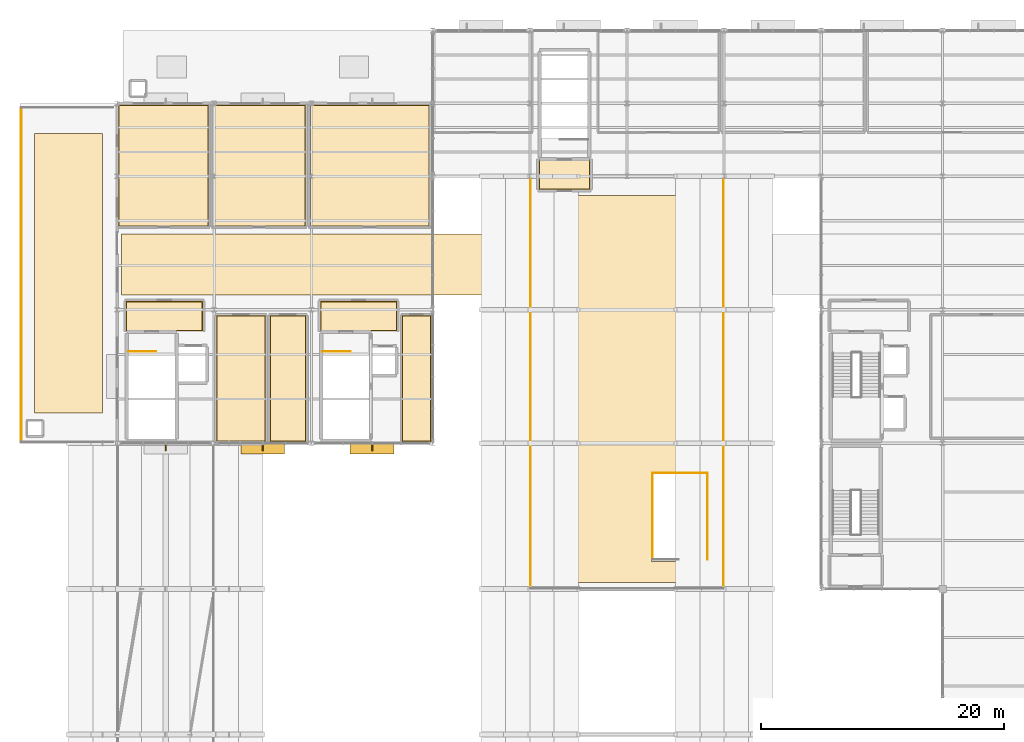
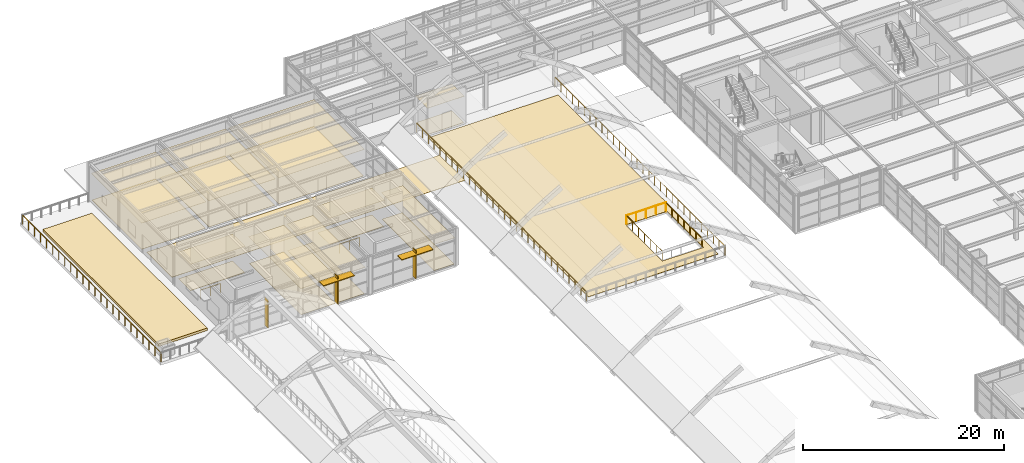
# One storey, part 75 of 82: 21 coverings, 8 railings, 5 shading devices.
"""IFC4 building model written with IfcOpenShell, lengths in metres."""

import ifcopenshell
import ifcopenshell.guid

model = None  # the IFC model being written
_history = None  # IfcOwnerHistory: only IFC2X3 demands one
_inside = {}  # id of a spatial element -> (the spatial element, [elements in it])
_under = {}  # id of a project, library or spatial element -> (it, [spatial elements below it])
_declared = {}  # id of a project -> (the project, [libraries it declares])
_typed = {}  # id of a type object -> (the type object, [elements of that type])
_made_of = {}  # id of a material, layer set ... -> (it, [elements and type objects made of it])


def new_model(schema):
    """Start an empty IFC model of exactly this schema.

    Asked for "IFC4X3", IfcOpenShell would pick the latest addendum, in which some entities
    have other attributes; the version numbers below select the first issue.
    IFC2X3 requires an IfcOwnerHistory on every rooted entity: one is made here for all.
    """
    global model, _history
    if schema == "IFC4X3":
        model = ifcopenshell.file(schema_version=(4, 3, 0, 0))
    else:
        model = ifcopenshell.file(schema=schema)
    _inside.clear()
    _under.clear()
    _declared.clear()
    _typed.clear()
    _made_of.clear()
    _history = None
    if model.schema == "IFC2X3":
        org = make("IfcOrganization", Name="unknown")
        user = make(
            "IfcPersonAndOrganization",
            ThePerson=make("IfcPerson", FamilyName="unknown"),
            TheOrganization=org,
        )
        app = make(
            "IfcApplication",
            ApplicationDeveloper=org,
            Version="unknown",
            ApplicationFullName="unknown",
            ApplicationIdentifier="unknown",
        )
        _history = make(
            "IfcOwnerHistory",
            OwningUser=user,
            OwningApplication=app,
            ChangeAction="ADDED",
            CreationDate=0,
        )
    return model


def make(cls, **values):
    """One entity of the class cls with the attributes given. An attribute that is None is left unset."""
    return model.create_entity(
        cls, **{name: value for name, value in values.items() if value is not None}
    )


def rooted(cls, **values):
    """An entity with a GlobalId (a new one), such as an element, a storey or a relation."""
    return make(cls, GlobalId=ifcopenshell.guid.new(), OwnerHistory=_history, **values)


def si_unit(unit_type, name, prefix=None):
    """IfcSIUnit, for example si_unit("LENGTHUNIT", "METRE", prefix="MILLI")."""
    return make("IfcSIUnit", UnitType=unit_type, Prefix=prefix, Name=name)


def assignment(units):
    """IfcUnitAssignment: the units of a project."""
    return None if units is None else make("IfcUnitAssignment", Units=units)


def point(xyz):
    """IfcCartesianPoint."""
    return None if xyz is None else make("IfcCartesianPoint", Coordinates=xyz)


def direction(xyz):
    """IfcDirection."""
    return None if xyz is None else make("IfcDirection", DirectionRatios=xyz)


def frame(location, z_axis=None, x_axis=None):
    """IfcAxis2Placement3D, a coordinate frame: its origin and axes. An axis left out is left unset."""
    return make(
        "IfcAxis2Placement3D",
        Location=point(location),
        Axis=direction(z_axis),
        RefDirection=direction(x_axis),
    )


def frame_2d(location, x_axis=None):
    """IfcAxis2Placement2D, a coordinate frame in the plane: its origin and x axis."""
    return make(
        "IfcAxis2Placement2D", Location=point(location), RefDirection=direction(x_axis)
    )


def origin():
    """The frame at (0, 0, 0) with its axes left unset."""
    return frame((0.0, 0.0, 0.0))


def origin_2d():
    """The frame at (0, 0) in the plane with its x axis left unset."""
    return frame_2d((0.0, 0.0))


def place(relative_to, where):
    """IfcLocalPlacement: puts the frame where relative to a parent placement (None: the world)."""
    return make(
        "IfcLocalPlacement", PlacementRelTo=relative_to, RelativePlacement=where
    )


def context(
    kind, dimensions, precision=None, world=None, true_north=None, identifier=None
):
    """IfcGeometricRepresentationContext, for example the 3D "Model" context."""
    return make(
        "IfcGeometricRepresentationContext",
        ContextIdentifier=identifier,
        ContextType=kind,
        CoordinateSpaceDimension=dimensions,
        Precision=precision,
        WorldCoordinateSystem=world,
        TrueNorth=true_north,
    )


def subcontext(parent, identifier, kind, view, scale=None):
    """IfcGeometricRepresentationSubContext, for example "Body" below "Model"."""
    return make(
        "IfcGeometricRepresentationSubContext",
        ContextIdentifier=identifier,
        ContextType=kind,
        ParentContext=parent,
        TargetScale=scale,
        TargetView=view,
    )


def project(units=None, contexts=None):
    """IfcProject with its units and contexts."""
    return rooted(
        "IfcProject",
        Name="project",
        RepresentationContexts=contexts,
        UnitsInContext=assignment(units),
    )


def spatial(cls, under=None, at=None, **own):
    """A site, building, storey or space (cls), placed at a placement, below another one or the project."""
    s = rooted(cls, ObjectPlacement=at, **own)
    if under is not None:
        _under.setdefault(under.id(), (under, []))[1].append(s)
    return s


def polyline(points):
    """IfcPolyline through the points."""
    return make("IfcPolyline", Points=[point(p) for p in points])


def profile(cls, at=None, kind="AREA", **sizes):
    """A parametric profile (cls). Its sizes go by their IFC names, for example OverallWidth=200.0."""
    return make(cls, ProfileType=kind, Position=at, **sizes)


def rectangle(**sizes):
    """IfcRectangleProfileDef."""
    return profile("IfcRectangleProfileDef", **sizes)


def circle(**sizes):
    """IfcCircleProfileDef."""
    return profile("IfcCircleProfileDef", **sizes)


def outline(outer, holes=None, kind="AREA"):
    """IfcArbitraryClosedProfileDef: a profile drawn as a closed curve; with holes, ...WithVoids."""
    if holes is None:
        return make("IfcArbitraryClosedProfileDef", ProfileType=kind, OuterCurve=outer)
    return make(
        "IfcArbitraryProfileDefWithVoids",
        ProfileType=kind,
        OuterCurve=outer,
        InnerCurves=holes,
    )


def extrude(swept, where, along, depth):
    """IfcExtrudedAreaSolid: the profile swept, set in the frame where, extruded along a direction by depth."""
    return make(
        "IfcExtrudedAreaSolid",
        SweptArea=swept,
        Position=where,
        ExtrudedDirection=direction(along),
        Depth=depth,
    )


def shape(context_of_items, identifier, shape_type, items):
    """IfcShapeRepresentation: the items that make up one representation, for example the "Body"."""
    return make(
        "IfcShapeRepresentation",
        ContextOfItems=context_of_items,
        RepresentationIdentifier=identifier,
        RepresentationType=shape_type,
        Items=items,
    )


def material(Name=None, Category=None):
    """IfcMaterial."""
    return make("IfcMaterial", Name=Name, Category=Category)


def layer(
    of_material, thickness, ventilated=None, Name=None, Category=None, Priority=None
):
    """IfcMaterialLayer: one layer of a wall or slab, of a material (None: an air gap)."""
    return make(
        "IfcMaterialLayer",
        Material=of_material,
        LayerThickness=thickness,
        IsVentilated=ventilated,
        Name=Name,
        Category=Category,
        Priority=Priority,
    )


def layer_set(layers, Name=None):
    """IfcMaterialLayerSet."""
    return make("IfcMaterialLayerSet", MaterialLayers=layers, LayerSetName=Name)


def made_of(thing, what):
    """Note that an element or type object is made of a material, layer set ...; save() writes the relation."""
    if what is not None:
        _made_of.setdefault(what.id(), (what, []))[1].append(thing)
    return thing


def type_object(cls, material=None, **own):
    """A type object (cls), such as IfcWallType, which elements share."""
    return made_of(rooted(cls, **own), material)


def element(
    cls,
    number,
    at=None,
    inside=None,
    cuts=None,
    type_object=None,
    material=None,
    context=None,
    identifier="Body",
    shape_type=None,
    held_by="IfcProductDefinitionShape",
    body=None,
    shapes=None,
    **own,
):
    """One element of the class cls, such as IfcWall. Its Tag is "e" and its number.

    at: its placement. inside: the storey or other place that contains it. cuts: it is an
    opening in that element (IfcRelVoidsElement). A single representation is given by context,
    identifier, shape_type and body (its items); several are given by shapes. held_by: the class
    of the entity that holds the representations. save() writes the other relations.
    """
    e = rooted(cls, Tag="e%d" % number, ObjectPlacement=at, **own)
    if body is not None:
        shapes = [shape(context, identifier, shape_type, body)]
    if shapes is not None:
        e.Representation = make(held_by, Representations=shapes)
    if inside is not None:
        _inside.setdefault(inside.id(), (inside, []))[1].append(e)
    if cuts is not None:
        rooted(
            "IfcRelVoidsElement", RelatingBuildingElement=cuts, RelatedOpeningElement=e
        )
    if type_object is not None:
        _typed.setdefault(type_object.id(), (type_object, []))[1].append(e)
    return made_of(e, material)


def aggregate(whole, parts):
    """IfcRelAggregates: a whole, such as a stair, and the parts it consists of."""
    return rooted("IfcRelAggregates", RelatingObject=whole, RelatedObjects=parts)


def save(model, path):
    """Write the relations noted so far, then the file.

    IfcRelAggregates (storeys below a building ...), IfcRelContainedInSpatialStructure (elements
    in a storey), IfcRelDefinesByType, IfcRelAssociatesMaterial and IfcRelDeclares: one each for
    every whole, place, type object, material and project.
    """
    for whole, parts in _under.values():
        aggregate(whole, parts)
    for where, things in _inside.values():
        rooted(
            "IfcRelContainedInSpatialStructure",
            RelatedElements=things,
            RelatingStructure=where,
        )
    for kind, things in _typed.values():
        rooted("IfcRelDefinesByType", RelatedObjects=things, RelatingType=kind)
    for what, things in _made_of.values():
        rooted("IfcRelAssociatesMaterial", RelatedObjects=things, RelatingMaterial=what)
    for by, libraries in _declared.values():
        rooted("IfcRelDeclares", RelatingContext=by, RelatedDefinitions=libraries)
    model.write(path)


model = new_model("IFC4")

# Units and contexts
model_context = context("Model", 3, precision=1e-05, world=origin(), true_north=direction((0.0, 1.0)))
body_context = subcontext(model_context, "Body", "Model", "MODEL_VIEW")
ifc_project = project(units=[si_unit("LENGTHUNIT", "METRE"), si_unit("AREAUNIT", "SQUARE_METRE"), si_unit("VOLUMEUNIT", "CUBIC_METRE"), si_unit("PLANEANGLEUNIT", "RADIAN"), si_unit("MASSUNIT", "GRAM", prefix="KILO")], contexts=[model_context])

# Site, building, storey
site_placement = place(None, origin())
site = spatial("IfcSite", under=ifc_project, at=site_placement, CompositionType="ELEMENT")
building_placement = place(site_placement, origin())
building = spatial("IfcBuilding", under=site, at=building_placement, Name="Sitalva Quay Ferry Terminal", CompositionType="ELEMENT")
storey_placement = place(building_placement, frame((0.0, 0.0, 5.39990234375)))
storey = spatial("IfcBuildingStorey", under=building, at=storey_placement, Name="L02", CompositionType="ELEMENT", Elevation=5.39990234375)

# Coverings
ifc_material_1 = material(Name="Perforated Marine Aluminium Acoustic Ceiling", Category="aluminium")
ifc_layer_1 = layer(ifc_material_1, 0.0400390625)
ifc_layer_set_1 = layer_set([ifc_layer_1], Name="Perforated Marine Aluminium Acoustic Ceiling")
covering_type_1 = type_object("IfcCoveringType", Name="Ceiling_AcousticBaffle_40", PredefinedType="CEILING", material=ifc_layer_set_1)
covering_1_placement = place(storey_placement, frame((0.0, 0.0, 3.210205078125)))
element("IfcCovering", 1, at=covering_1_placement, inside=storey, type_object=covering_type_1, Name="Male Prayer Room & Ablution ceiling", PredefinedType="CEILING", context=body_context, shape_type="SweptSolid", body=[
    extrude(outline(polyline([(24.175048828125, 78.1201171875), (28.22509765625, 78.1201171875), (28.22509765625, 88.52490234375), (24.175048828125, 88.52490234375), (24.175048828125, 78.1201171875)])), origin(), (0.0, 0.0, 1.0), 0.039794921875),
])
covering_2_placement = place(storey_placement, frame((0.0, 0.0, 3.210205078125)))
element("IfcCovering", 2, at=covering_2_placement, inside=storey, type_object=covering_type_1, Name="Female Prayer Room & Ablution ceiling", PredefinedType="CEILING", context=body_context, shape_type="SweptSolid", body=[
    extrude(outline(polyline([(28.574951171875, 78.1201171875), (31.574951171875, 78.1201171875), (31.574951171875, 88.52490234375), (28.574951171875, 88.52490234375), (28.574951171875, 78.1201171875)])), origin(), (0.0, 0.0, 1.0), 0.039794921875),
])
covering_3_placement = place(storey_placement, frame((0.0, 0.0, 3.210205078125)))
element("IfcCovering", 3, at=covering_3_placement, inside=storey, type_object=covering_type_1, Name="Monsoon Court Viewing Lounge ceiling", PredefinedType="CEILING", context=body_context, shape_type="SweptSolid", body=[
    extrude(outline(polyline([(39.455078125, 78.1201171875), (41.8798828125, 78.1201171875), (41.8798828125, 88.544921875), (39.455078125, 88.544921875), (39.455078125, 78.1201171875)])), origin(), (0.0, 0.0, 1.0), 0.039794921875),
])
ifc_material_2 = material(Name="Moisture-Resistant Acoustic Gypsum Ceiling", Category="gypsum")
ifc_layer_2 = layer(ifc_material_2, 0.02490234375)
ifc_layer_set_2 = layer_set([ifc_layer_2], Name="Moisture-Resistant Acoustic Gypsum Ceiling")
covering_type_2 = type_object("IfcCoveringType", Name="Ceiling_GypsumMoisture_25", PredefinedType="CEILING", material=ifc_layer_set_2)
covering_4_placement = place(storey_placement, frame((0.0, 0.0, 3.22509765625)))
element("IfcCovering", 4, at=covering_4_placement, inside=storey, type_object=covering_type_2, Name="Firefighting & Lift Lobby C3 ceiling", PredefinedType="CEILING", context=body_context, shape_type="SweptSolid", body=[
    extrude(outline(polyline([(16.739990234375, 87.239990234375), (23.06005859375, 87.239990234375), (23.06005859375, 89.7099609375), (16.739990234375, 89.7099609375), (16.739990234375, 87.239990234375)])), origin(), (0.0, 0.0, 1.0), 0.02490234375),
])
covering_5_placement = place(storey_placement, frame((0.0, 0.0, 3.22509765625)))
element("IfcCovering", 5, at=covering_5_placement, inside=storey, type_object=covering_type_2, Name="Firefighting & Lift Lobby C5 ceiling", PredefinedType="CEILING", context=body_context, shape_type="SweptSolid", body=[
    extrude(outline(polyline([(32.739990234375, 87.239990234375), (39.06005859375, 87.239990234375), (39.06005859375, 89.7099609375), (32.739990234375, 89.7099609375), (32.739990234375, 87.239990234375)])), origin(), (0.0, 0.0, 1.0), 0.02490234375),
])
covering_6_placement = place(storey_placement, frame((0.0, 0.0, 3.22509765625)))
element("IfcCovering", 6, at=covering_6_placement, inside=storey, type_object=covering_type_2, Name="Firefighting & Lift Lobby C7 ceiling", PredefinedType="CEILING", context=body_context, shape_type="SweptSolid", body=[
    extrude(outline(polyline([(50.739990234375, 98.889892578125), (54.9599609375, 98.889892578125), (54.9599609375, 101.360107421875), (50.739990234375, 101.360107421875), (50.739990234375, 98.889892578125)])), origin(), (0.0, 0.0, 1.0), 0.02490234375),
])
covering_7_placement = place(storey_placement, frame((0.0, 0.0, 3.22509765625)))
element("IfcCovering", 7, at=covering_7_placement, inside=storey, type_object=covering_type_2, Name="L02 West Male Public Toilets ceiling", PredefinedType="CEILING", context=body_context, shape_type="SweptSolid", body=[
    extrude(outline(polyline([(16.1201171875, 95.8701171875), (23.530029296875, 95.8701171875), (23.530029296875, 105.8798828125), (16.1201171875, 105.8798828125), (16.1201171875, 95.8701171875)])), origin(), (0.0, 0.0, 1.0), 0.02490234375),
])
covering_8_placement = place(storey_placement, frame((0.0, 0.0, 3.22509765625)))
element("IfcCovering", 8, at=covering_8_placement, inside=storey, type_object=covering_type_2, Name="L02 West Female Public Toilets ceiling", PredefinedType="CEILING", context=body_context, shape_type="SweptSolid", body=[
    extrude(outline(polyline([(23.8701171875, 95.8701171875), (31.530029296875, 95.8701171875), (31.530029296875, 105.8798828125), (23.8701171875, 105.8798828125), (23.8701171875, 95.8701171875)])), origin(), (0.0, 0.0, 1.0), 0.02490234375),
])
covering_9_placement = place(storey_placement, frame((0.0, 0.0, 3.22509765625)))
element("IfcCovering", 9, at=covering_9_placement, inside=storey, type_object=covering_type_2, Name="L02 West Accessible WC & Parenting Room ceiling", PredefinedType="CEILING", context=body_context, shape_type="SweptSolid", body=[
    extrude(outline(polyline([(31.8701171875, 95.8701171875), (41.72998046875, 95.8701171875), (41.72998046875, 105.8798828125), (31.8701171875, 105.8798828125), (31.8701171875, 95.8701171875)])), origin(), (0.0, 0.0, 1.0), 0.02490234375),
])
ifc_material_3 = material(Name="Planted Roof Garden Soil & Native Monsoon Flora", Category="earth")
ifc_layer_3 = layer(ifc_material_3, 0.300048828125)
ifc_layer_set_3 = layer_set([ifc_layer_3], Name="Planted Roof Garden Soil & Native Monsoon Flora")
covering_type_3 = type_object("IfcCoveringType", Name="Covering_PlantedParterre_300", PredefinedType="FLOORING", material=ifc_layer_set_3)
covering_10_placement = place(storey_placement, origin())
element("IfcCovering", 10, at=covering_10_placement, inside=storey, type_object=covering_type_3, Name="Planted terrace garden bed 13", PredefinedType="FLOORING", context=body_context, shape_type="SweptSolid", body=[
    extrude(outline(polyline([(9.199951171875, 80.5), (14.800048828125, 80.5), (14.800048828125, 103.5), (9.199951171875, 103.5), (9.199951171875, 80.5)])), origin(), (0.0, 0.0, 1.0), 0.300048828125),
])
ifc_material_4 = material(Name="Anti-Slip Porcelain Tile", Category="ceramic")
ifc_layer_4 = layer(ifc_material_4, 0.02001953125)
ifc_layer_set_4 = layer_set([ifc_layer_4], Name="Anti-Slip Porcelain Tile")
covering_type_4 = type_object("IfcCoveringType", Name="Finish_CeramicWet_20", PredefinedType="FLOORING", material=ifc_layer_set_4)
covering_11_placement = place(storey_placement, origin())
element("IfcCovering", 11, at=covering_11_placement, inside=storey, type_object=covering_type_4, Name="L02 West Male Public Toilets floor finish", PredefinedType="FLOORING", context=body_context, shape_type="SweptSolid", body=[
    extrude(outline(polyline([(16.169921875, 95.919921875), (23.47998046875, 95.919921875), (23.47998046875, 105.830078125), (16.169921875, 105.830078125), (16.169921875, 95.919921875)])), origin(), (0.0, 0.0, 1.0), 0.02001953125),
])
covering_12_placement = place(storey_placement, origin())
element("IfcCovering", 12, at=covering_12_placement, inside=storey, type_object=covering_type_4, Name="L02 West Female Public Toilets floor finish", PredefinedType="FLOORING", context=body_context, shape_type="SweptSolid", body=[
    extrude(outline(polyline([(23.919921875, 95.919921875), (31.47998046875, 95.919921875), (31.47998046875, 105.830078125), (23.919921875, 105.830078125), (23.919921875, 95.919921875)])), origin(), (0.0, 0.0, 1.0), 0.02001953125),
])
covering_13_placement = place(storey_placement, origin())
element("IfcCovering", 13, at=covering_13_placement, inside=storey, type_object=covering_type_4, Name="L02 West Accessible WC & Parenting Room floor finish", PredefinedType="FLOORING", context=body_context, shape_type="SweptSolid", body=[
    extrude(outline(polyline([(31.919921875, 95.919921875), (41.679931640625, 95.919921875), (41.679931640625, 105.830078125), (31.919921875, 105.830078125), (31.919921875, 95.919921875)])), origin(), (0.0, 0.0, 1.0), 0.02001953125),
])
ifc_material_5 = material(Name="Flamed Non-Slip Granite Paving", Category="masonry")
ifc_layer_5 = layer(ifc_material_5, 0.034912109375)
ifc_layer_set_5 = layer_set([ifc_layer_5], Name="Flamed Non-Slip Granite Paving")
covering_type_5 = type_object("IfcCoveringType", Name="Finish_Granite_35", PredefinedType="FLOORING", material=ifc_layer_set_5)
covering_14_placement = place(storey_placement, origin())
element("IfcCovering", 14, at=covering_14_placement, inside=storey, type_object=covering_type_5, Name="Firefighting & Lift Lobby C3 floor finish", PredefinedType="FLOORING", context=body_context, shape_type="SweptSolid", body=[
    extrude(outline(polyline([(16.7900390625, 87.2900390625), (23.010009765625, 87.2900390625), (23.010009765625, 89.659912109375), (16.7900390625, 89.659912109375), (16.7900390625, 87.2900390625)])), origin(), (0.0, 0.0, 1.0), 0.03515625),
])
covering_15_placement = place(storey_placement, origin())
element("IfcCovering", 15, at=covering_15_placement, inside=storey, type_object=covering_type_5, Name="Firefighting & Lift Lobby C5 floor finish", PredefinedType="FLOORING", context=body_context, shape_type="SweptSolid", body=[
    extrude(outline(polyline([(32.7900390625, 87.2900390625), (39.010009765625, 87.2900390625), (39.010009765625, 89.659912109375), (32.7900390625, 89.659912109375), (32.7900390625, 87.2900390625)])), origin(), (0.0, 0.0, 1.0), 0.03515625),
])
covering_16_placement = place(storey_placement, origin())
element("IfcCovering", 16, at=covering_16_placement, inside=storey, type_object=covering_type_5, Name="Firefighting & Lift Lobby C7 floor finish", PredefinedType="FLOORING", context=body_context, shape_type="SweptSolid", body=[
    extrude(outline(polyline([(50.7900390625, 98.93994140625), (54.909912109375, 98.93994140625), (54.909912109375, 101.31005859375), (50.7900390625, 101.31005859375), (50.7900390625, 98.93994140625)])), origin(), (0.0, 0.0, 1.0), 0.03515625),
])
covering_17_placement = place(storey_placement, origin())
element("IfcCovering", 17, at=covering_17_placement, inside=storey, type_object=covering_type_5, Name="North Concourse Waiting Gallery flooring", PredefinedType="FLOORING", context=body_context, shape_type="SweptSolid", body=[
    extrude(outline(polyline([(50.550048828125, 66.550048828125), (65.449951171875, 66.550048828125), (65.449951171875, 98.39990234375), (50.550048828125, 98.39990234375), (50.550048828125, 66.550048828125)]), holes=[polyline([(60.0, 68.25), (60.0, 75.5), (64.75, 75.5), (64.75, 68.25), (60.0, 68.25)])]), origin(), (0.0, 0.0, 1.0), 0.03515625),
])
covering_18_placement = place(storey_placement, origin())
element("IfcCovering", 18, at=covering_18_placement, inside=storey, type_object=covering_type_5, Name="L02 West Passenger & Staff Gallery Corridor flooring", PredefinedType="FLOORING", context=body_context, shape_type="SweptSolid", body=[
    extrude(outline(polyline([(16.35009765625, 90.199951171875), (50.0, 90.199951171875), (50.0, 95.25), (16.35009765625, 95.25), (16.35009765625, 90.199951171875)])), origin(), (0.0, 0.0, 1.0), 0.03515625),
])
ifc_material_6 = material(Name="Polished River-Stone Terrazzo", Category="masonry")
ifc_layer_6 = layer(ifc_material_6, 0.030029296875)
ifc_layer_set_6 = layer_set([ifc_layer_6], Name="Polished River-Stone Terrazzo")
covering_type_6 = type_object("IfcCoveringType", Name="Finish_Terrazzo_30", PredefinedType="FLOORING", material=ifc_layer_set_6)
covering_19_placement = place(storey_placement, origin())
element("IfcCovering", 19, at=covering_19_placement, inside=storey, type_object=covering_type_6, Name="Male Prayer Room & Ablution floor finish", PredefinedType="FLOORING", context=body_context, shape_type="SweptSolid", body=[
    extrude(outline(polyline([(24.22509765625, 78.169921875), (28.175048828125, 78.169921875), (28.175048828125, 88.47509765625), (24.22509765625, 88.47509765625), (24.22509765625, 78.169921875)])), origin(), (0.0, 0.0, 1.0), 0.030029296875),
])
covering_20_placement = place(storey_placement, origin())
element("IfcCovering", 20, at=covering_20_placement, inside=storey, type_object=covering_type_6, Name="Female Prayer Room & Ablution floor finish", PredefinedType="FLOORING", context=body_context, shape_type="SweptSolid", body=[
    extrude(outline(polyline([(28.625, 78.169921875), (31.52490234375, 78.169921875), (31.52490234375, 88.47509765625), (28.625, 88.47509765625), (28.625, 78.169921875)])), origin(), (0.0, 0.0, 1.0), 0.030029296875),
])
covering_21_placement = place(storey_placement, origin())
element("IfcCovering", 21, at=covering_21_placement, inside=storey, type_object=covering_type_6, Name="Monsoon Court Viewing Lounge floor finish", PredefinedType="FLOORING", context=body_context, shape_type="SweptSolid", body=[
    extrude(outline(polyline([(39.5048828125, 78.169921875), (41.830078125, 78.169921875), (41.830078125, 88.4951171875), (39.5048828125, 88.4951171875), (39.5048828125, 78.169921875)])), origin(), (0.0, 0.0, 1.0), 0.030029296875),
])

# Railings
ifc_material_7 = material(Name="Stainless Steel 316L & Laminated Glass", Category="steel")
railing_type_1 = type_object("IfcRailingType", Name="Railing_Balustrade_1120", PredefinedType="BALUSTRADE", material=ifc_material_7)
railing_1_placement = place(storey_placement, frame((50.050048828125, 99.89990234375, 0.0)))
element("IfcRailing", 22, at=railing_1_placement, inside=storey, type_object=railing_type_1, Name="L02 V1 north gallery guard 022", PredefinedType="BALUSTRADE", context=body_context, shape_type="SweptSolid", body=[
    extrude(circle(Radius=0.02392578125, at=origin_2d()), frame((0.0, 0.0, 1.09619140625), z_axis=(0.0, -1.0, 0.0), x_axis=(1.0, 0.0, 0.0)), (0.0, 0.0, 1.0), 33.849853515625),
    extrude(circle(Radius=0.02099609375, at=origin_2d()), origin(), (0.0, 0.0, 1.0), 1.072021484375),
    extrude(circle(Radius=0.02099609375, at=origin_2d()), frame((0.0, -1.167236328125, 0.0)), (0.0, 0.0, 1.0), 1.072021484375),
    extrude(circle(Radius=0.02099609375, at=origin_2d()), frame((0.0, -2.33447265625, 0.0)), (0.0, 0.0, 1.0), 1.072021484375),
    extrude(circle(Radius=0.02099609375, at=origin_2d()), frame((0.0, -3.501708984375, 0.0)), (0.0, 0.0, 1.0), 1.072021484375),
    extrude(circle(Radius=0.02099609375, at=origin_2d()), frame((0.0, -4.6689453125, 0.0)), (0.0, 0.0, 1.0), 1.072021484375),
    extrude(circle(Radius=0.02099609375, at=origin_2d()), frame((0.0, -5.836181640625, 0.0)), (0.0, 0.0, 1.0), 1.072021484375),
    extrude(circle(Radius=0.02099609375, at=origin_2d()), frame((0.0, -7.00341796875, 0.0)), (0.0, 0.0, 1.0), 1.072021484375),
    extrude(circle(Radius=0.02099609375, at=origin_2d()), frame((0.0, -8.170654296875, 0.0)), (0.0, 0.0, 1.0), 1.072021484375),
    extrude(circle(Radius=0.02099609375, at=origin_2d()), frame((0.0, -9.337890625, 0.0)), (0.0, 0.0, 1.0), 1.072021484375),
    extrude(circle(Radius=0.02099609375, at=origin_2d()), frame((0.0, -10.505126953125, 0.0)), (0.0, 0.0, 1.0), 1.072021484375),
    extrude(circle(Radius=0.02099609375, at=origin_2d()), frame((0.0, -11.67236328125, 0.0)), (0.0, 0.0, 1.0), 1.072021484375),
    extrude(circle(Radius=0.02099609375, at=origin_2d()), frame((0.0, -12.839599609375, 0.0)), (0.0, 0.0, 1.0), 1.072021484375),
    extrude(circle(Radius=0.02099609375, at=origin_2d()), frame((0.0, -14.0068359375, 0.0)), (0.0, 0.0, 1.0), 1.072021484375),
    extrude(circle(Radius=0.02099609375, at=origin_2d()), frame((0.0, -15.174072265625, 0.0)), (0.0, 0.0, 1.0), 1.072021484375),
    extrude(circle(Radius=0.02099609375, at=origin_2d()), frame((0.0, -16.34130859375, 0.0)), (0.0, 0.0, 1.0), 1.072021484375),
    extrude(circle(Radius=0.02099609375, at=origin_2d()), frame((0.0, -17.508544921875, 0.0)), (0.0, 0.0, 1.0), 1.072021484375),
    extrude(circle(Radius=0.02099609375, at=origin_2d()), frame((0.0, -18.67578125, 0.0)), (0.0, 0.0, 1.0), 1.072021484375),
    extrude(circle(Radius=0.02099609375, at=origin_2d()), frame((0.0, -19.843017578125, 0.0)), (0.0, 0.0, 1.0), 1.072021484375),
    extrude(circle(Radius=0.02099609375, at=origin_2d()), frame((0.0, -21.01025390625, 0.0)), (0.0, 0.0, 1.0), 1.072021484375),
    extrude(circle(Radius=0.02099609375, at=origin_2d()), frame((0.0, -22.177490234375, 0.0)), (0.0, 0.0, 1.0), 1.072021484375),
    extrude(circle(Radius=0.02099609375, at=origin_2d()), frame((0.0, -23.3447265625, 0.0)), (0.0, 0.0, 1.0), 1.072021484375),
    extrude(circle(Radius=0.02099609375, at=origin_2d()), frame((0.0, -24.511962890625, 0.0)), (0.0, 0.0, 1.0), 1.072021484375),
    extrude(circle(Radius=0.02099609375, at=origin_2d()), frame((0.0, -25.67919921875, 0.0)), (0.0, 0.0, 1.0), 1.072021484375),
    extrude(circle(Radius=0.02099609375, at=origin_2d()), frame((0.0, -26.846435546875, 0.0)), (0.0, 0.0, 1.0), 1.072021484375),
    extrude(circle(Radius=0.02099609375, at=origin_2d()), frame((0.0, -28.013671875, 0.0)), (0.0, 0.0, 1.0), 1.072021484375),
    extrude(circle(Radius=0.02099609375, at=origin_2d()), frame((0.0, -29.180908203125, 0.0)), (0.0, 0.0, 1.0), 1.072021484375),
    extrude(circle(Radius=0.02099609375, at=origin_2d()), frame((0.0, -30.34814453125, 0.0)), (0.0, 0.0, 1.0), 1.072021484375),
    extrude(circle(Radius=0.02099609375, at=origin_2d()), frame((0.0, -31.515380859375, 0.0)), (0.0, 0.0, 1.0), 1.072021484375),
    extrude(circle(Radius=0.02099609375, at=origin_2d()), frame((0.0, -32.6826171875, 0.0)), (0.0, 0.0, 1.0), 1.072021484375),
    extrude(circle(Radius=0.02099609375, at=origin_2d()), frame((0.0, -33.849853515625, 0.0)), (0.0, 0.0, 1.0), 1.072021484375),
])
railing_2_placement = place(storey_placement, frame((65.949951171875, 66.050048828125, 0.0)))
element("IfcRailing", 23, at=railing_2_placement, inside=storey, type_object=railing_type_1, Name="L02 V1 north gallery guard 024", PredefinedType="BALUSTRADE", context=body_context, shape_type="SweptSolid", body=[
    extrude(circle(Radius=0.02392578125, at=origin_2d()), frame((0.0, 0.0, 1.09619140625), z_axis=(0.0, 1.0, 0.0), x_axis=(-1.0, 0.0, 0.0)), (0.0, 0.0, 1.0), 33.849853515625),
    extrude(circle(Radius=0.02099609375, at=origin_2d()), origin(), (0.0, 0.0, 1.0), 1.072021484375),
    extrude(circle(Radius=0.02099609375, at=origin_2d()), frame((0.0, 1.167236328125, 0.0)), (0.0, 0.0, 1.0), 1.072021484375),
    extrude(circle(Radius=0.02099609375, at=origin_2d()), frame((0.0, 2.33447265625, 0.0)), (0.0, 0.0, 1.0), 1.072021484375),
    extrude(circle(Radius=0.02099609375, at=origin_2d()), frame((0.0, 3.501708984375, 0.0)), (0.0, 0.0, 1.0), 1.072021484375),
    extrude(circle(Radius=0.02099609375, at=origin_2d()), frame((0.0, 4.6689453125, 0.0)), (0.0, 0.0, 1.0), 1.072021484375),
    extrude(circle(Radius=0.02099609375, at=origin_2d()), frame((0.0, 5.836181640625, 0.0)), (0.0, 0.0, 1.0), 1.072021484375),
    extrude(circle(Radius=0.02099609375, at=origin_2d()), frame((0.0, 7.00341796875, 0.0)), (0.0, 0.0, 1.0), 1.072021484375),
    extrude(circle(Radius=0.02099609375, at=origin_2d()), frame((0.0, 8.170654296875, 0.0)), (0.0, 0.0, 1.0), 1.072021484375),
    extrude(circle(Radius=0.02099609375, at=origin_2d()), frame((0.0, 9.337890625, 0.0)), (0.0, 0.0, 1.0), 1.072021484375),
    extrude(circle(Radius=0.02099609375, at=origin_2d()), frame((0.0, 10.505126953125, 0.0)), (0.0, 0.0, 1.0), 1.072021484375),
    extrude(circle(Radius=0.02099609375, at=origin_2d()), frame((0.0, 11.67236328125, 0.0)), (0.0, 0.0, 1.0), 1.072021484375),
    extrude(circle(Radius=0.02099609375, at=origin_2d()), frame((0.0, 12.839599609375, 0.0)), (0.0, 0.0, 1.0), 1.072021484375),
    extrude(circle(Radius=0.02099609375, at=origin_2d()), frame((0.0, 14.0068359375, 0.0)), (0.0, 0.0, 1.0), 1.072021484375),
    extrude(circle(Radius=0.02099609375, at=origin_2d()), frame((0.0, 15.174072265625, 0.0)), (0.0, 0.0, 1.0), 1.072021484375),
    extrude(circle(Radius=0.02099609375, at=origin_2d()), frame((0.0, 16.34130859375, 0.0)), (0.0, 0.0, 1.0), 1.072021484375),
    extrude(circle(Radius=0.02099609375, at=origin_2d()), frame((0.0, 17.508544921875, 0.0)), (0.0, 0.0, 1.0), 1.072021484375),
    extrude(circle(Radius=0.02099609375, at=origin_2d()), frame((0.0, 18.67578125, 0.0)), (0.0, 0.0, 1.0), 1.072021484375),
    extrude(circle(Radius=0.02099609375, at=origin_2d()), frame((0.0, 19.843017578125, 0.0)), (0.0, 0.0, 1.0), 1.072021484375),
    extrude(circle(Radius=0.02099609375, at=origin_2d()), frame((0.0, 21.01025390625, 0.0)), (0.0, 0.0, 1.0), 1.072021484375),
    extrude(circle(Radius=0.02099609375, at=origin_2d()), frame((0.0, 22.177490234375, 0.0)), (0.0, 0.0, 1.0), 1.072021484375),
    extrude(circle(Radius=0.02099609375, at=origin_2d()), frame((0.0, 23.3447265625, 0.0)), (0.0, 0.0, 1.0), 1.072021484375),
    extrude(circle(Radius=0.02099609375, at=origin_2d()), frame((0.0, 24.511962890625, 0.0)), (0.0, 0.0, 1.0), 1.072021484375),
    extrude(circle(Radius=0.02099609375, at=origin_2d()), frame((0.0, 25.67919921875, 0.0)), (0.0, 0.0, 1.0), 1.072021484375),
    extrude(circle(Radius=0.02099609375, at=origin_2d()), frame((0.0, 26.846435546875, 0.0)), (0.0, 0.0, 1.0), 1.072021484375),
    extrude(circle(Radius=0.02099609375, at=origin_2d()), frame((0.0, 28.013671875, 0.0)), (0.0, 0.0, 1.0), 1.072021484375),
    extrude(circle(Radius=0.02099609375, at=origin_2d()), frame((0.0, 29.180908203125, 0.0)), (0.0, 0.0, 1.0), 1.072021484375),
    extrude(circle(Radius=0.02099609375, at=origin_2d()), frame((0.0, 30.34814453125, 0.0)), (0.0, 0.0, 1.0), 1.072021484375),
    extrude(circle(Radius=0.02099609375, at=origin_2d()), frame((0.0, 31.515380859375, 0.0)), (0.0, 0.0, 1.0), 1.072021484375),
    extrude(circle(Radius=0.02099609375, at=origin_2d()), frame((0.0, 32.6826171875, 0.0)), (0.0, 0.0, 1.0), 1.072021484375),
    extrude(circle(Radius=0.02099609375, at=origin_2d()), frame((0.0, 33.849853515625, 0.0)), (0.0, 0.0, 1.0), 1.072021484375),
])
railing_3_placement = place(storey_placement, frame((60.10009765625, 68.419921875, 0.0)))
element("IfcRailing", 24, at=railing_3_placement, inside=storey, type_object=railing_type_1, Name="L02 ST-12 stair-well guard 026", PredefinedType="BALUSTRADE", context=body_context, shape_type="SweptSolid", body=[
    extrude(circle(Radius=0.02392578125, at=origin_2d()), frame((0.0, 0.0, 1.09619140625), z_axis=(0.0, 1.0, 0.0), x_axis=(-1.0, 0.0, 0.0)), (0.0, 0.0, 1.0), 7.14013671875),
    extrude(circle(Radius=0.02099609375, at=origin_2d()), origin(), (0.0, 0.0, 1.0), 1.072021484375),
    extrude(circle(Radius=0.02099609375, at=origin_2d()), frame((0.0, 1.18994140625, 0.0)), (0.0, 0.0, 1.0), 1.072021484375),
    extrude(circle(Radius=0.02099609375, at=origin_2d()), frame((0.0, 2.380126953125, 0.0)), (0.0, 0.0, 1.0), 1.072021484375),
    extrude(circle(Radius=0.02099609375, at=origin_2d()), frame((0.0, 3.570068359375, 0.0)), (0.0, 0.0, 1.0), 1.072021484375),
    extrude(circle(Radius=0.02099609375, at=origin_2d()), frame((0.0, 4.760009765625, 0.0)), (0.0, 0.0, 1.0), 1.072021484375),
    extrude(circle(Radius=0.02099609375, at=origin_2d()), frame((0.0, 5.9501953125, 0.0)), (0.0, 0.0, 1.0), 1.072021484375),
    extrude(circle(Radius=0.02099609375, at=origin_2d()), frame((0.0, 7.14013671875, 0.0)), (0.0, 0.0, 1.0), 1.072021484375),
])
railing_4_placement = place(storey_placement, frame((60.10009765625, 75.56005859375, 0.0)))
element("IfcRailing", 25, at=railing_4_placement, inside=storey, type_object=railing_type_1, Name="L02 ST-12 stair-well guard 027", PredefinedType="BALUSTRADE", context=body_context, shape_type="SweptSolid", body=[
    extrude(circle(Radius=0.02392578125, at=origin_2d()), frame((0.0, 0.0, 1.09619140625), z_axis=(1.0, 0.0, 0.0), x_axis=(0.0, 1.0, 0.0)), (0.0, 0.0, 1.0), 4.5498046875),
    extrude(circle(Radius=0.02099609375, at=origin_2d()), origin(), (0.0, 0.0, 1.0), 1.072021484375),
    extrude(circle(Radius=0.02099609375, at=origin_2d()), frame((1.137451171875, 0.0, 0.0)), (0.0, 0.0, 1.0), 1.072021484375),
    extrude(circle(Radius=0.02099609375, at=origin_2d()), frame((2.27490234375, 0.0, 0.0)), (0.0, 0.0, 1.0), 1.072021484375),
    extrude(circle(Radius=0.02099609375, at=origin_2d()), frame((3.412353515625, 0.0, 0.0)), (0.0, 0.0, 1.0), 1.072021484375),
    extrude(circle(Radius=0.02099609375, at=origin_2d()), frame((4.5498046875, 0.0, 0.0)), (0.0, 0.0, 1.0), 1.072021484375),
])
railing_5_placement = place(storey_placement, frame((64.64990234375, 75.56005859375, 0.0)))
element("IfcRailing", 26, at=railing_5_placement, inside=storey, type_object=railing_type_1, Name="L02 ST-12 stair-well guard 028", PredefinedType="BALUSTRADE", context=body_context, shape_type="SweptSolid", body=[
    extrude(circle(Radius=0.02392578125, at=origin_2d()), frame((0.0, 0.0, 1.09619140625), z_axis=(0.0, -1.0, 0.0), x_axis=(1.0, 0.0, 0.0)), (0.0, 0.0, 1.0), 7.14013671875),
    extrude(circle(Radius=0.02099609375, at=origin_2d()), origin(), (0.0, 0.0, 1.0), 1.072021484375),
    extrude(circle(Radius=0.02099609375, at=origin_2d()), frame((0.0, -1.18994140625, 0.0)), (0.0, 0.0, 1.0), 1.072021484375),
    extrude(circle(Radius=0.02099609375, at=origin_2d()), frame((0.0, -2.380126953125, 0.0)), (0.0, 0.0, 1.0), 1.072021484375),
    extrude(circle(Radius=0.02099609375, at=origin_2d()), frame((0.0, -3.570068359375, 0.0)), (0.0, 0.0, 1.0), 1.072021484375),
    extrude(circle(Radius=0.02099609375, at=origin_2d()), frame((0.0, -4.760009765625, 0.0)), (0.0, 0.0, 1.0), 1.072021484375),
    extrude(circle(Radius=0.02099609375, at=origin_2d()), frame((0.0, -5.9501953125, 0.0)), (0.0, 0.0, 1.0), 1.072021484375),
    extrude(circle(Radius=0.02099609375, at=origin_2d()), frame((0.0, -7.14013671875, 0.0)), (0.0, 0.0, 1.0), 1.072021484375),
])
railing_6_placement = place(storey_placement, frame((8.10009765625, 78.10009765625, 0.0)))
element("IfcRailing", 27, at=railing_6_placement, inside=storey, type_object=railing_type_1, Name="L02 L02 west terrace balustrade 030", PredefinedType="BALUSTRADE", context=body_context, shape_type="SweptSolid", body=[
    extrude(circle(Radius=0.02392578125, at=origin_2d()), frame((0.0, 0.0, 1.09619140625), z_axis=(0.0, 1.0, 0.0), x_axis=(-1.0, 0.0, 0.0)), (0.0, 0.0, 1.0), 27.5498046875),
    extrude(circle(Radius=0.02099609375, at=origin_2d()), origin(), (0.0, 0.0, 1.0), 1.072021484375),
    extrude(circle(Radius=0.02099609375, at=origin_2d()), frame((0.0, 1.19775390625, 0.0)), (0.0, 0.0, 1.0), 1.072021484375),
    extrude(circle(Radius=0.02099609375, at=origin_2d()), frame((0.0, 2.395751953125, 0.0)), (0.0, 0.0, 1.0), 1.072021484375),
    extrude(circle(Radius=0.02099609375, at=origin_2d()), frame((0.0, 3.593505859375, 0.0)), (0.0, 0.0, 1.0), 1.072021484375),
    extrude(circle(Radius=0.02099609375, at=origin_2d()), frame((0.0, 4.791259765625, 0.0)), (0.0, 0.0, 1.0), 1.072021484375),
    extrude(circle(Radius=0.02099609375, at=origin_2d()), frame((0.0, 5.989013671875, 0.0)), (0.0, 0.0, 1.0), 1.072021484375),
    extrude(circle(Radius=0.02099609375, at=origin_2d()), frame((0.0, 7.18701171875, 0.0)), (0.0, 0.0, 1.0), 1.072021484375),
    extrude(circle(Radius=0.02099609375, at=origin_2d()), frame((0.0, 8.384765625, 0.0)), (0.0, 0.0, 1.0), 1.072021484375),
    extrude(circle(Radius=0.02099609375, at=origin_2d()), frame((0.0, 9.58251953125, 0.0)), (0.0, 0.0, 1.0), 1.072021484375),
    extrude(circle(Radius=0.02099609375, at=origin_2d()), frame((0.0, 10.7802734375, 0.0)), (0.0, 0.0, 1.0), 1.072021484375),
    extrude(circle(Radius=0.02099609375, at=origin_2d()), frame((0.0, 11.978271484375, 0.0)), (0.0, 0.0, 1.0), 1.072021484375),
    extrude(circle(Radius=0.02099609375, at=origin_2d()), frame((0.0, 13.176025390625, 0.0)), (0.0, 0.0, 1.0), 1.072021484375),
    extrude(circle(Radius=0.02099609375, at=origin_2d()), frame((0.0, 14.373779296875, 0.0)), (0.0, 0.0, 1.0), 1.072021484375),
    extrude(circle(Radius=0.02099609375, at=origin_2d()), frame((0.0, 15.571533203125, 0.0)), (0.0, 0.0, 1.0), 1.072021484375),
    extrude(circle(Radius=0.02099609375, at=origin_2d()), frame((0.0, 16.76953125, 0.0)), (0.0, 0.0, 1.0), 1.072021484375),
    extrude(circle(Radius=0.02099609375, at=origin_2d()), frame((0.0, 17.96728515625, 0.0)), (0.0, 0.0, 1.0), 1.072021484375),
    extrude(circle(Radius=0.02099609375, at=origin_2d()), frame((0.0, 19.1650390625, 0.0)), (0.0, 0.0, 1.0), 1.072021484375),
    extrude(circle(Radius=0.02099609375, at=origin_2d()), frame((0.0, 20.36279296875, 0.0)), (0.0, 0.0, 1.0), 1.072021484375),
    extrude(circle(Radius=0.02099609375, at=origin_2d()), frame((0.0, 21.560791015625, 0.0)), (0.0, 0.0, 1.0), 1.072021484375),
    extrude(circle(Radius=0.02099609375, at=origin_2d()), frame((0.0, 22.758544921875, 0.0)), (0.0, 0.0, 1.0), 1.072021484375),
    extrude(circle(Radius=0.02099609375, at=origin_2d()), frame((0.0, 23.956298828125, 0.0)), (0.0, 0.0, 1.0), 1.072021484375),
    extrude(circle(Radius=0.02099609375, at=origin_2d()), frame((0.0, 25.154052734375, 0.0)), (0.0, 0.0, 1.0), 1.072021484375),
    extrude(circle(Radius=0.02099609375, at=origin_2d()), frame((0.0, 26.35205078125, 0.0)), (0.0, 0.0, 1.0), 1.072021484375),
    extrude(circle(Radius=0.02099609375, at=origin_2d()), frame((0.0, 27.5498046875, 0.0)), (0.0, 0.0, 1.0), 1.072021484375),
])
ifc_material_8 = material(Name="Galvanised Steel S275JR", Category="steel")
railing_type_2 = type_object("IfcRailingType", Name="Railing_Guard_1100", PredefinedType="GUARDRAIL", material=ifc_material_8)
for number, where, name in (
    (28, (16.919921875, 85.570068359375, 0.0), "L02 ST-03 top well guard 1"),
    (29, (32.919921875, 85.570068359375, 0.0), "L02 ST-05 top well guard 1"),
):
    element("IfcRailing", number, at=place(storey_placement, frame(where)), inside=storey, type_object=railing_type_2, Name=name, PredefinedType="GUARDRAIL", context=body_context, shape_type="SweptSolid", body=[
        extrude(circle(Radius=0.02392578125, at=origin_2d()), frame((0.0, 0.0, 1.076171875), z_axis=(1.0, 0.0, 0.0), x_axis=(0.0, 1.0, 0.0)), (0.0, 0.0, 1.0), 2.300048828125),
        extrude(circle(Radius=0.02099609375, at=origin_2d()), origin(), (0.0, 0.0, 1.0), 1.052001953125),
        extrude(circle(Radius=0.02099609375, at=origin_2d()), frame((1.14990234375, 0.0, 0.0)), (0.0, 0.0, 1.0), 1.052001953125),
        extrude(circle(Radius=0.02099609375, at=origin_2d()), frame((2.300048828125, 0.0, 0.0)), (0.0, 0.0, 1.0), 1.052001953125),
    ])

# Shading devices
ifc_material_9 = material(Name="Anodised Marine Aluminium 6063-T6", Category="aluminium")
shading_device_type_1 = type_object("IfcShadingDeviceType", Name="Shade_HorizontalLouvre_900", PredefinedType="USERDEFINED", material=ifc_material_9)
for number, where, z_axis, x_axis, name in (
    (30, (28.0, 77.580078125, 3.40771484375), (0.0, 0.0, 1.0), (1.0, 0.0, 0.0), "Monsoon sunshade canopy BS-043"),
    (31, (37.0, 77.580078125, 3.40771484375), (0.0, 0.0, 1.0), (1.0, 0.0, 0.0), "Monsoon sunshade canopy BS-045"),
):
    element("IfcShadingDevice", number, at=place(storey_placement, frame(where, z_axis=z_axis, x_axis=x_axis)), inside=storey, type_object=shading_device_type_1, Name=name, ObjectType="SUNSHADE", PredefinedType="USERDEFINED", context=body_context, shape_type="SweptSolid", body=[
        extrude(rectangle(XDim=3.60009765625, YDim=0.89990234375, at=origin_2d()), origin(), (0.0, 0.0, 1.0), 0.0849609375),
    ])
ifc_material_10 = material(Name="Anodised Marine Aluminium 6063-T6", Category="aluminium")
shading_device_type_2 = type_object("IfcShadingDeviceType", Name="Shade_VerticalFin_650", PredefinedType="JALOUSIE", material=ifc_material_10)
for number, where, z_axis, x_axis, name in (
    (32, (20.0, 77.705078125, 0.400146484375), (0.0, 0.0, 1.0), (1.0, 0.0, 0.0), "Vertical monsoon fin BS-042"),
    (33, (28.0, 77.705078125, 0.400146484375), (0.0, 0.0, 1.0), (1.0, 0.0, 0.0), "Vertical monsoon fin BS-044"),
    (34, (37.0, 77.705078125, 0.400146484375), (0.0, 0.0, 1.0), (1.0, 0.0, 0.0), "Vertical monsoon fin BS-046"),
):
    element("IfcShadingDevice", number, at=place(storey_placement, frame(where, z_axis=z_axis, x_axis=x_axis)), inside=storey, type_object=shading_device_type_2, Name=name, PredefinedType="JALOUSIE", context=body_context, shape_type="SweptSolid", body=[
        extrude(rectangle(XDim=0.090087890625, YDim=0.64990234375, at=origin_2d()), origin(), (0.0, 0.0, 1.0), 3.39990234375),
    ])

save(model, "model.ifc")
